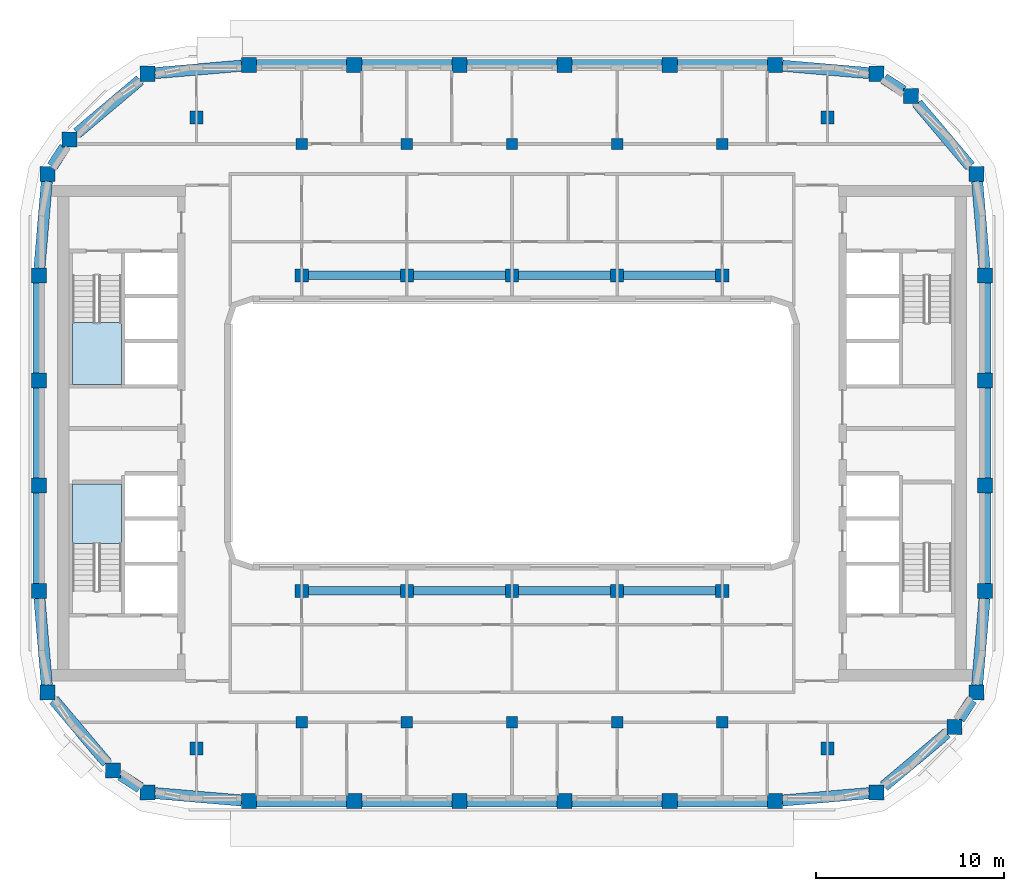
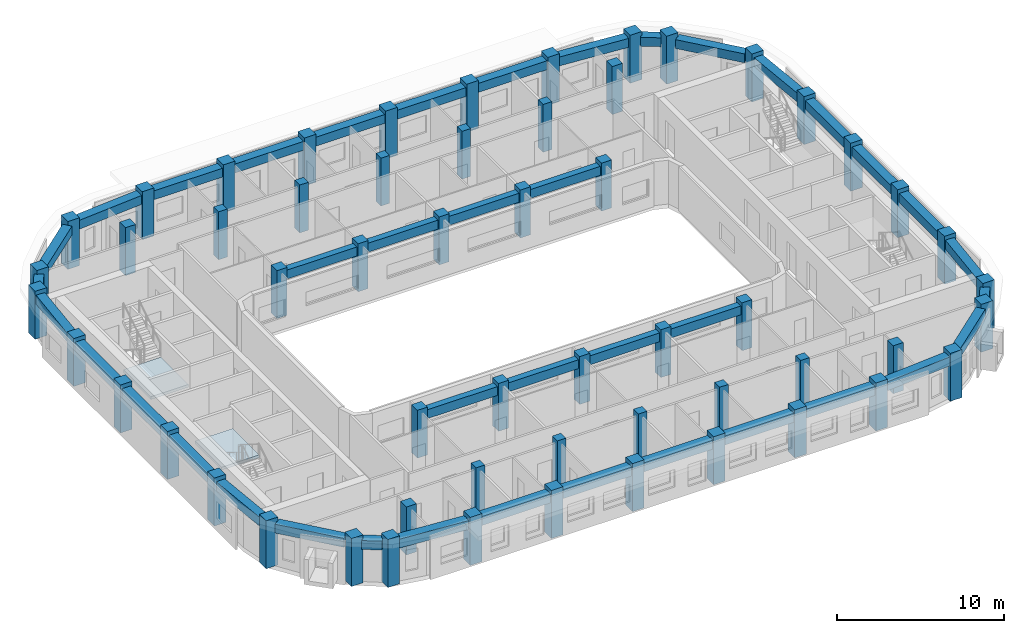
# One storey, part 1 of 16: 56 columns, 40 beams, 2 slabs, 2 elements without a shape of their own.
"""IFC4 building model written with IfcOpenShell, lengths in metres."""

from ifc_helpers import new_model, si_unit, direction, frame, origin, origin_2d, place, context, subcontext, project, spatial, polyline, rectangle, outline, extrude, material, layer, layer_set, material_profile, profile_set, type_object, element, aggregate, save


model = new_model("IFC4")

# Units and contexts
model_context = context("Model", 3, precision=1e-05, world=origin(), true_north=direction((0.0, 1.0)))
body_context = subcontext(model_context, "Body", "Model", "MODEL_VIEW")
ifc_project = project(units=[si_unit("LENGTHUNIT", "METRE"), si_unit("AREAUNIT", "SQUARE_METRE"), si_unit("VOLUMEUNIT", "CUBIC_METRE"), si_unit("PLANEANGLEUNIT", "RADIAN"), si_unit("MASSUNIT", "GRAM", prefix="KILO")], contexts=[model_context])

# Site, building, storey
site_placement = place(None, origin())
site = spatial("IfcSite", under=ifc_project, at=site_placement, CompositionType="ELEMENT")
building_placement = place(site_placement, origin())
building = spatial("IfcBuilding", under=site, at=building_placement, Name="Kiln Ring Residences", CompositionType="ELEMENT")
storey_placement = place(building_placement, frame((0.0, 0.0, 245.199951171875)))
storey = spatial("IfcBuildingStorey", under=building, at=storey_placement, Name="L63", CompositionType="ELEMENT", Elevation=245.199951171875)

# Columns
ifc_material_1 = material(Name="Concrete C60/75", Category="concrete")
ifc_material_profile_1 = material_profile(ifc_material_1, rectangle(XDim=0.60009765625, YDim=0.60009765625, at=origin_2d()), Name="RC600x600")
ifc_profile_set_1 = profile_set([ifc_material_profile_1], Name="Concrete C60/75")
column_type_1 = type_object("IfcColumnType", Name="Corridor column RC600x600 C60/75", PredefinedType="COLUMN", material=ifc_profile_set_1)
for number, where, z_axis, x_axis, name in (
    (1, (-11.199951171875, 15.39990234375, 0.0), (0.0, 0.0, 1.0), (1.0, 0.0, 0.0), "Corridor column L63 1"),
    (2, (-5.60009765625, 15.39990234375, 0.0), (0.0, 0.0, 1.0), (1.0, 0.0, 0.0), "Corridor column L63 2"),
    (3, (0.0, 15.39990234375, 0.0), (0.0, 0.0, 1.0), (1.0, 0.0, 0.0), "Corridor column L63 3"),
    (4, (5.60009765625, 15.39990234375, 0.0), (0.0, 0.0, 1.0), (1.0, 0.0, 0.0), "Corridor column L63 4"),
    (5, (11.199951171875, 15.39990234375, 0.0), (0.0, 0.0, 1.0), (1.0, 0.0, 0.0), "Corridor column L63 5"),
    (6, (-11.199951171875, -15.39990234375, 0.0), (0.0, 0.0, 1.0), (1.0, 0.0, 0.0), "Corridor column L63 6"),
    (7, (-5.60009765625, -15.39990234375, 0.0), (0.0, 0.0, 1.0), (1.0, 0.0, 0.0), "Corridor column L63 7"),
    (8, (0.0, -15.39990234375, 0.0), (0.0, 0.0, 1.0), (1.0, 0.0, 0.0), "Corridor column L63 8"),
    (9, (5.60009765625, -15.39990234375, 0.0), (0.0, 0.0, 1.0), (1.0, 0.0, 0.0), "Corridor column L63 9"),
    (10, (11.199951171875, -15.39990234375, 0.0), (0.0, 0.0, 1.0), (1.0, 0.0, 0.0), "Corridor column L63 10"),
):
    element("IfcColumn", number, at=place(storey_placement, frame(where, z_axis=z_axis, x_axis=x_axis)), inside=storey, type_object=column_type_1, Name=name, PredefinedType="COLUMN", context=body_context, shape_type="SweptSolid", body=[
        extrude(rectangle(XDim=0.60009765625, YDim=0.60009765625, at=origin_2d()), origin(), (0.0, 0.0, 1.0), 3.5),
    ])
ifc_material_2 = material(Name="Concrete C60/75", Category="concrete")
ifc_material_profile_2 = material_profile(ifc_material_2, rectangle(XDim=0.800048828125, YDim=0.800048828125, at=origin_2d()), Name="RC800x800")
ifc_profile_set_2 = profile_set([ifc_material_profile_2], Name="Concrete C60/75")
column_type_2 = type_object("IfcColumnType", Name="Perimeter column RC800x800 C60/75", PredefinedType="COLUMN", material=ifc_profile_set_2)
for number, where, z_axis, x_axis, name in (
    (11, (-19.40869140625, -19.13818359375, 0.0), (0.0, 0.0, 1.0), (1.0, 0.0, 0.0), "Perimeter column L63 1"),
    (12, (-14.0, -19.60009765625, 0.0), (0.0, 0.0, 1.0), (1.0, 0.0, 0.0), "Perimeter column L63 2"),
    (13, (-8.39990234375, -19.60009765625, 0.0), (0.0, 0.0, 1.0), (1.0, 0.0, 0.0), "Perimeter column L63 3"),
    (14, (-2.800048828125, -19.60009765625, 0.0), (0.0, 0.0, 1.0), (1.0, 0.0, 0.0), "Perimeter column L63 4"),
    (15, (2.800048828125, -19.60009765625, 0.0), (0.0, 0.0, 1.0), (1.0, 0.0, 0.0), "Perimeter column L63 5"),
    (16, (8.39990234375, -19.60009765625, 0.0), (0.0, 0.0, 1.0), (1.0, 0.0, 0.0), "Perimeter column L63 6"),
    (17, (14.0, -19.60009765625, 0.0), (0.0, 0.0, 1.0), (1.0, 0.0, 0.0), "Perimeter column L63 7"),
    (18, (19.40869140625, -19.13818359375, 0.0), (0.0, 0.0, 1.0), (1.0, 0.0, 0.0), "Perimeter column L63 8"),
    (19, (23.559814453125, -15.64013671875, 0.0), (0.0, 0.0, 1.0), (1.0, 0.0, 0.0), "Perimeter column L63 9"),
    (20, (24.738037109375, -13.80859375, 0.0), (0.0, 0.0, 1.0), (1.0, 0.0, 0.0), "Perimeter column L63 10"),
    (21, (25.199951171875, -8.39990234375, 0.0), (0.0, 0.0, 1.0), (1.0, 0.0, 0.0), "Perimeter column L63 11"),
    (22, (25.199951171875, -2.800048828125, 0.0), (0.0, 0.0, 1.0), (1.0, 0.0, 0.0), "Perimeter column L63 12"),
    (23, (25.199951171875, 2.800048828125, 0.0), (0.0, 0.0, 1.0), (1.0, 0.0, 0.0), "Perimeter column L63 13"),
    (24, (25.199951171875, 8.39990234375, 0.0), (0.0, 0.0, 1.0), (1.0, 0.0, 0.0), "Perimeter column L63 14"),
    (25, (24.738037109375, 13.80859375, 0.0), (0.0, 0.0, 1.0), (1.0, 0.0, 0.0), "Perimeter column L63 15"),
    (26, (21.240234375, 17.959716796875, 0.0), (0.0, 0.0, 1.0), (1.0, 0.0, 0.0), "Perimeter column L63 16"),
    (27, (19.40869140625, 19.13818359375, 0.0), (0.0, 0.0, 1.0), (1.0, 0.0, 0.0), "Perimeter column L63 17"),
    (28, (14.0, 19.60009765625, 0.0), (0.0, 0.0, 1.0), (1.0, 0.0, 0.0), "Perimeter column L63 18"),
    (29, (8.39990234375, 19.60009765625, 0.0), (0.0, 0.0, 1.0), (1.0, 0.0, 0.0), "Perimeter column L63 19"),
    (30, (2.800048828125, 19.60009765625, 0.0), (0.0, 0.0, 1.0), (1.0, 0.0, 0.0), "Perimeter column L63 20"),
    (31, (-2.800048828125, 19.60009765625, 0.0), (0.0, 0.0, 1.0), (1.0, 0.0, 0.0), "Perimeter column L63 21"),
    (32, (-8.39990234375, 19.60009765625, 0.0), (0.0, 0.0, 1.0), (1.0, 0.0, 0.0), "Perimeter column L63 22"),
    (33, (-14.0, 19.60009765625, 0.0), (0.0, 0.0, 1.0), (1.0, 0.0, 0.0), "Perimeter column L63 23"),
    (34, (-19.40869140625, 19.13818359375, 0.0), (0.0, 0.0, 1.0), (1.0, 0.0, 0.0), "Perimeter column L63 24"),
    (35, (-23.559814453125, 15.64013671875, 0.0), (0.0, 0.0, 1.0), (1.0, 0.0, 0.0), "Perimeter column L63 25"),
    (36, (-24.738037109375, 13.80859375, 0.0), (0.0, 0.0, 1.0), (1.0, 0.0, 0.0), "Perimeter column L63 26"),
    (37, (-25.199951171875, 8.39990234375, 0.0), (0.0, 0.0, 1.0), (1.0, 0.0, 0.0), "Perimeter column L63 27"),
    (38, (-25.199951171875, 2.800048828125, 0.0), (0.0, 0.0, 1.0), (1.0, 0.0, 0.0), "Perimeter column L63 28"),
    (39, (-25.199951171875, -2.800048828125, 0.0), (0.0, 0.0, 1.0), (1.0, 0.0, 0.0), "Perimeter column L63 29"),
    (40, (-25.199951171875, -8.39990234375, 0.0), (0.0, 0.0, 1.0), (1.0, 0.0, 0.0), "Perimeter column L63 30"),
    (41, (-24.738037109375, -13.80859375, 0.0), (0.0, 0.0, 1.0), (1.0, 0.0, 0.0), "Perimeter column L63 31"),
    (42, (-21.240234375, -17.959716796875, 0.0), (0.0, 0.0, 1.0), (1.0, 0.0, 0.0), "Perimeter column L63 32"),
):
    element("IfcColumn", number, at=place(storey_placement, frame(where, z_axis=z_axis, x_axis=x_axis)), inside=storey, type_object=column_type_2, Name=name, PredefinedType="COLUMN", context=body_context, shape_type="SweptSolid", body=[
        extrude(rectangle(XDim=0.800048828125, YDim=0.800048828125, at=origin_2d()), origin(), (0.0, 0.0, 1.0), 3.5),
    ])
ifc_material_3 = material(Name="Concrete C60/75", Category="concrete")
ifc_material_profile_3 = material_profile(ifc_material_3, rectangle(XDim=0.699951171875, YDim=0.699951171875, at=origin_2d()), Name="RC700x700")
ifc_profile_set_3 = profile_set([ifc_material_profile_3], Name="Concrete C60/75")
column_type_3 = type_object("IfcColumnType", Name="Ring column RC700x700 C60/75", PredefinedType="COLUMN", material=ifc_profile_set_3)
for number, where, z_axis, x_axis, name in (
    (43, (-16.800048828125, -16.800048828125, 0.0), (0.0, 0.0, 1.0), (1.0, 0.0, 0.0), "Ring column L63 1"),
    (44, (-16.800048828125, 16.800048828125, 0.0), (0.0, 0.0, 1.0), (1.0, 0.0, 0.0), "Ring column L63 2"),
    (45, (-11.199951171875, -8.39990234375, 0.0), (0.0, 0.0, 1.0), (1.0, 0.0, 0.0), "Ring column L63 3"),
    (46, (-11.199951171875, 8.39990234375, 0.0), (0.0, 0.0, 1.0), (1.0, 0.0, 0.0), "Ring column L63 4"),
    (47, (-5.60009765625, -8.39990234375, 0.0), (0.0, 0.0, 1.0), (1.0, 0.0, 0.0), "Ring column L63 5"),
    (48, (-5.60009765625, 8.39990234375, 0.0), (0.0, 0.0, 1.0), (1.0, 0.0, 0.0), "Ring column L63 6"),
    (49, (0.0, -8.39990234375, 0.0), (0.0, 0.0, 1.0), (1.0, 0.0, 0.0), "Ring column L63 7"),
    (50, (0.0, 8.39990234375, 0.0), (0.0, 0.0, 1.0), (1.0, 0.0, 0.0), "Ring column L63 8"),
    (51, (5.60009765625, -8.39990234375, 0.0), (0.0, 0.0, 1.0), (1.0, 0.0, 0.0), "Ring column L63 9"),
    (52, (5.60009765625, 8.39990234375, 0.0), (0.0, 0.0, 1.0), (1.0, 0.0, 0.0), "Ring column L63 10"),
    (53, (11.199951171875, -8.39990234375, 0.0), (0.0, 0.0, 1.0), (1.0, 0.0, 0.0), "Ring column L63 11"),
    (54, (11.199951171875, 8.39990234375, 0.0), (0.0, 0.0, 1.0), (1.0, 0.0, 0.0), "Ring column L63 12"),
    (55, (16.800048828125, -16.800048828125, 0.0), (0.0, 0.0, 1.0), (1.0, 0.0, 0.0), "Ring column L63 13"),
    (56, (16.800048828125, 16.800048828125, 0.0), (0.0, 0.0, 1.0), (1.0, 0.0, 0.0), "Ring column L63 14"),
):
    element("IfcColumn", number, at=place(storey_placement, frame(where, z_axis=z_axis, x_axis=x_axis)), inside=storey, type_object=column_type_3, Name=name, PredefinedType="COLUMN", context=body_context, shape_type="SweptSolid", body=[
        extrude(rectangle(XDim=0.699951171875, YDim=0.699951171875, at=origin_2d()), origin(), (0.0, 0.0, 1.0), 3.5),
    ])

# Beams
ifc_material_4 = material(Name="Concrete C50/60", Category="concrete")
ifc_material_profile_4 = material_profile(ifc_material_4, rectangle(XDim=0.449951171875, YDim=0.64990234375, at=origin_2d()), Name="RC450x650")
ifc_profile_set_4 = profile_set([ifc_material_profile_4], Name="Concrete C50/60")
beam_type_1 = type_object("IfcBeamType", Name="Ring beam RC450x650 C50/60", PredefinedType="BEAM", material=ifc_profile_set_4)
beam_1_placement = place(storey_placement, frame((-10.85009765625, -8.39990234375, 2.875), z_axis=(1.0, 0.0, 0.0), x_axis=(0.0, 1.0, 0.0)))
element("IfcBeam", 57, at=beam_1_placement, inside=storey, type_object=beam_type_1, Name="Ring beam L63 1", PredefinedType="BEAM", context=body_context, shape_type="SweptSolid", body=[
    extrude(rectangle(XDim=0.449951171875, YDim=0.64990234375, at=origin_2d()), origin(), (0.0, 0.0, 1.0), 4.900146484375),
])
for number, where, z_axis, x_axis, name in (
    (58, (-5.25, -8.39990234375, 2.875), (1.0, 0.0, 0.0), (0.0, 1.0, 0.0), "Ring beam L63 2"),
    (59, (0.35009765625, -8.39990234375, 2.875), (1.0, 0.0, 0.0), (0.0, 1.0, 0.0), "Ring beam L63 3"),
):
    element("IfcBeam", number, at=place(storey_placement, frame(where, z_axis=z_axis, x_axis=x_axis)), inside=storey, type_object=beam_type_1, Name=name, PredefinedType="BEAM", context=body_context, shape_type="SweptSolid", body=[
        extrude(rectangle(XDim=0.449951171875, YDim=0.64990234375, at=origin_2d()), origin(), (0.0, 0.0, 1.0), 4.89990234375),
    ])
for number, where, z_axis, x_axis, name in (
    (60, (5.949951171875, -8.39990234375, 2.875), (1.0, 0.0, 0.0), (0.0, 1.0, 0.0), "Ring beam L63 4"),
    (61, (-10.85009765625, 8.39990234375, 2.875), (1.0, 0.0, 0.0), (0.0, 1.0, 0.0), "Ring beam L63 5"),
):
    element("IfcBeam", number, at=place(storey_placement, frame(where, z_axis=z_axis, x_axis=x_axis)), inside=storey, type_object=beam_type_1, Name=name, PredefinedType="BEAM", context=body_context, shape_type="SweptSolid", body=[
        extrude(rectangle(XDim=0.449951171875, YDim=0.64990234375, at=origin_2d()), origin(), (0.0, 0.0, 1.0), 4.900146484375),
    ])
for number, where, z_axis, x_axis, name in (
    (62, (-5.25, 8.39990234375, 2.875), (1.0, 0.0, 0.0), (0.0, 1.0, 0.0), "Ring beam L63 6"),
    (63, (0.35009765625, 8.39990234375, 2.875), (1.0, 0.0, 0.0), (0.0, 1.0, 0.0), "Ring beam L63 7"),
):
    element("IfcBeam", number, at=place(storey_placement, frame(where, z_axis=z_axis, x_axis=x_axis)), inside=storey, type_object=beam_type_1, Name=name, PredefinedType="BEAM", context=body_context, shape_type="SweptSolid", body=[
        extrude(rectangle(XDim=0.449951171875, YDim=0.64990234375, at=origin_2d()), origin(), (0.0, 0.0, 1.0), 4.89990234375),
    ])
beam_2_placement = place(storey_placement, frame((5.949951171875, 8.39990234375, 2.875), z_axis=(1.0, 0.0, 0.0), x_axis=(0.0, 1.0, 0.0)))
element("IfcBeam", 64, at=beam_2_placement, inside=storey, type_object=beam_type_1, Name="Ring beam L63 8", PredefinedType="BEAM", context=body_context, shape_type="SweptSolid", body=[
    extrude(rectangle(XDim=0.449951171875, YDim=0.64990234375, at=origin_2d()), origin(), (0.0, 0.0, 1.0), 4.900146484375),
])
ifc_material_5 = material(Name="Concrete C50/60", Category="concrete")
ifc_material_profile_5 = material_profile(ifc_material_5, rectangle(XDim=0.60009765625, YDim=0.64990234375, at=origin_2d()), Name="RC600x650")
ifc_profile_set_5 = profile_set([ifc_material_profile_5], Name="Concrete C50/60")
beam_type_2 = type_object("IfcBeamType", Name="Spandrel beam RC600x650 C50/60", PredefinedType="SPANDREL", material=ifc_profile_set_5)
beam_3_placement = place(storey_placement, frame((-19.0087890625, -19.17236328125, 2.875), z_axis=(0.996374056639, -0.085080780766, 0.0), x_axis=(0.085080780766, 0.996374056639, 0.0)))
element("IfcBeam", 65, at=beam_3_placement, inside=storey, type_object=beam_type_2, Name="Spandrel beam L63 1", PredefinedType="SPANDREL", context=body_context, shape_type="SweptSolid", body=[
    extrude(rectangle(XDim=0.60009765625, YDim=0.64990234375, at=origin_2d()), origin(), (0.0, 0.0, 1.0), 4.625732421875),
])
for number, where, z_axis, x_axis, name in (
    (66, (-13.60009765625, -19.60009765625, 2.875), (1.0, 0.0, 0.0), (0.0, 1.0, 0.0), "Spandrel beam L63 2"),
    (67, (-8.0, -19.60009765625, 2.875), (1.0, 0.0, 0.0), (0.0, 1.0, 0.0), "Spandrel beam L63 3"),
):
    element("IfcBeam", number, at=place(storey_placement, frame(where, z_axis=z_axis, x_axis=x_axis)), inside=storey, type_object=beam_type_2, Name=name, PredefinedType="SPANDREL", context=body_context, shape_type="SweptSolid", body=[
        extrude(rectangle(XDim=0.60009765625, YDim=0.64990234375, at=origin_2d()), origin(), (0.0, 0.0, 1.0), 4.800048828125),
    ])
beam_4_placement = place(storey_placement, frame((-2.39990234375, -19.60009765625, 2.875), z_axis=(1.0, 0.0, 0.0), x_axis=(0.0, 1.0, 0.0)))
element("IfcBeam", 68, at=beam_4_placement, inside=storey, type_object=beam_type_2, Name="Spandrel beam L63 4", PredefinedType="SPANDREL", context=body_context, shape_type="SweptSolid", body=[
    extrude(rectangle(XDim=0.60009765625, YDim=0.64990234375, at=origin_2d()), origin(), (0.0, 0.0, 1.0), 4.7998046875),
])
for number, where, z_axis, x_axis, name in (
    (69, (3.199951171875, -19.60009765625, 2.875), (1.0, 0.0, 0.0), (0.0, 1.0, 0.0), "Spandrel beam L63 5"),
    (70, (8.800048828125, -19.60009765625, 2.875), (1.0, 0.0, 0.0), (0.0, 1.0, 0.0), "Spandrel beam L63 6"),
):
    element("IfcBeam", number, at=place(storey_placement, frame(where, z_axis=z_axis, x_axis=x_axis)), inside=storey, type_object=beam_type_2, Name=name, PredefinedType="SPANDREL", context=body_context, shape_type="SweptSolid", body=[
        extrude(rectangle(XDim=0.60009765625, YDim=0.64990234375, at=origin_2d()), origin(), (0.0, 0.0, 1.0), 4.800048828125),
    ])
beam_5_placement = place(storey_placement, frame((14.39990234375, -19.56591796875, 2.875), z_axis=(0.996374056639, 0.085080780766, 0.0), x_axis=(-0.085080780766, 0.996374056639, 0.0)))
element("IfcBeam", 71, at=beam_5_placement, inside=storey, type_object=beam_type_2, Name="Spandrel beam L63 7", PredefinedType="SPANDREL", context=body_context, shape_type="SweptSolid", body=[
    extrude(rectangle(XDim=0.60009765625, YDim=0.64990234375, at=origin_2d()), origin(), (0.0, 0.0, 1.0), 4.625732421875),
])
beam_6_placement = place(storey_placement, frame((19.80859375, -18.801025390625, 2.875), z_axis=(0.764734919154, 0.644345018936, 0.0), x_axis=(-0.644345018936, 0.764734919154, 0.0)))
element("IfcBeam", 72, at=beam_6_placement, inside=storey, type_object=beam_type_2, Name="Spandrel beam L63 8", PredefinedType="SPANDREL", context=body_context, shape_type="SweptSolid", body=[
    extrude(rectangle(XDim=0.60009765625, YDim=0.64990234375, at=origin_2d()), origin(), (0.0, 0.0, 1.0), 4.38232421875),
])
beam_7_placement = place(storey_placement, frame((23.817138671875, -15.240234375, 2.875), z_axis=(0.541029196589, 0.841003810002, 0.0), x_axis=(-0.841003810002, 0.541029196589, 0.0)))
element("IfcBeam", 73, at=beam_7_placement, inside=storey, type_object=beam_type_2, Name="Spandrel beam L63 9", PredefinedType="SPANDREL", context=body_context, shape_type="SweptSolid", body=[
    extrude(rectangle(XDim=0.60009765625, YDim=0.64990234375, at=origin_2d()), origin(), (0.0, 0.0, 1.0), 1.2265625),
])
beam_8_placement = place(storey_placement, frame((24.772216796875, -13.40869140625, 2.875), z_axis=(0.085085255251, 0.996373674551, 0.0), x_axis=(-0.996373674551, 0.085085255251, 0.0)))
element("IfcBeam", 74, at=beam_8_placement, inside=storey, type_object=beam_type_2, Name="Spandrel beam L63 10", PredefinedType="SPANDREL", context=body_context, shape_type="SweptSolid", body=[
    extrude(rectangle(XDim=0.60009765625, YDim=0.64990234375, at=origin_2d()), origin(), (0.0, 0.0, 1.0), 4.62548828125),
])
beam_9_placement = place(storey_placement, frame((25.199951171875, -8.0, 2.875), z_axis=(0.0, 1.0, 0.0), x_axis=(-1.0, 0.0, 0.0)))
element("IfcBeam", 75, at=beam_9_placement, inside=storey, type_object=beam_type_2, Name="Spandrel beam L63 11", PredefinedType="SPANDREL", context=body_context, shape_type="SweptSolid", body=[
    extrude(rectangle(XDim=0.60009765625, YDim=0.64990234375, at=origin_2d()), origin(), (0.0, 0.0, 1.0), 4.800048828125),
])
beam_10_placement = place(storey_placement, frame((25.199951171875, -2.39990234375, 2.875), z_axis=(0.0, 1.0, 0.0), x_axis=(-1.0, 0.0, 0.0)))
element("IfcBeam", 76, at=beam_10_placement, inside=storey, type_object=beam_type_2, Name="Spandrel beam L63 12", PredefinedType="SPANDREL", context=body_context, shape_type="SweptSolid", body=[
    extrude(rectangle(XDim=0.60009765625, YDim=0.64990234375, at=origin_2d()), origin(), (0.0, 0.0, 1.0), 4.7998046875),
])
beam_11_placement = place(storey_placement, frame((25.199951171875, 3.199951171875, 2.875), z_axis=(0.0, 1.0, 0.0), x_axis=(-1.0, 0.0, 0.0)))
element("IfcBeam", 77, at=beam_11_placement, inside=storey, type_object=beam_type_2, Name="Spandrel beam L63 13", PredefinedType="SPANDREL", context=body_context, shape_type="SweptSolid", body=[
    extrude(rectangle(XDim=0.60009765625, YDim=0.64990234375, at=origin_2d()), origin(), (0.0, 0.0, 1.0), 4.800048828125),
])
beam_12_placement = place(storey_placement, frame((25.165771484375, 8.800048828125, 2.875), z_axis=(-0.085085255251, 0.996373674551, 0.0), x_axis=(-0.996373674551, -0.085085255251, 0.0)))
element("IfcBeam", 78, at=beam_12_placement, inside=storey, type_object=beam_type_2, Name="Spandrel beam L63 14", PredefinedType="SPANDREL", context=body_context, shape_type="SweptSolid", body=[
    extrude(rectangle(XDim=0.60009765625, YDim=0.64990234375, at=origin_2d()), origin(), (0.0, 0.0, 1.0), 4.62548828125),
])
beam_13_placement = place(storey_placement, frame((24.401123046875, 14.208740234375, 2.875), z_axis=(-0.644405049218, 0.764684335227, 0.0), x_axis=(-0.764684335227, -0.644405049218, 0.0)))
element("IfcBeam", 79, at=beam_13_placement, inside=storey, type_object=beam_type_2, Name="Spandrel beam L63 15", PredefinedType="SPANDREL", context=body_context, shape_type="SweptSolid", body=[
    extrude(rectangle(XDim=0.60009765625, YDim=0.64990234375, at=origin_2d()), origin(), (0.0, 0.0, 1.0), 4.38232421875),
])
beam_14_placement = place(storey_placement, frame((20.840087890625, 18.217041015625, 2.875), z_axis=(-0.840913236818, 0.541169962345, 0.0), x_axis=(-0.541169962345, -0.840913236818, 0.0)))
element("IfcBeam", 80, at=beam_14_placement, inside=storey, type_object=beam_type_2, Name="Spandrel beam L63 16", PredefinedType="SPANDREL", context=body_context, shape_type="SweptSolid", body=[
    extrude(rectangle(XDim=0.60009765625, YDim=0.64990234375, at=origin_2d()), origin(), (0.0, 0.0, 1.0), 1.2265625),
])
beam_15_placement = place(storey_placement, frame((19.0087890625, 19.17236328125, 2.875), z_axis=(-0.996374056639, 0.085080780766, 0.0), x_axis=(-0.085080780766, -0.996374056639, 0.0)))
element("IfcBeam", 81, at=beam_15_placement, inside=storey, type_object=beam_type_2, Name="Spandrel beam L63 17", PredefinedType="SPANDREL", context=body_context, shape_type="SweptSolid", body=[
    extrude(rectangle(XDim=0.60009765625, YDim=0.64990234375, at=origin_2d()), origin(), (0.0, 0.0, 1.0), 4.625732421875),
])
for number, where, z_axis, x_axis, name in (
    (82, (13.60009765625, 19.60009765625, 2.875), (-1.0, 0.0, 0.0), (0.0, -1.0, 0.0), "Spandrel beam L63 18"),
    (83, (8.0, 19.60009765625, 2.875), (-1.0, 0.0, 0.0), (0.0, -1.0, 0.0), "Spandrel beam L63 19"),
):
    element("IfcBeam", number, at=place(storey_placement, frame(where, z_axis=z_axis, x_axis=x_axis)), inside=storey, type_object=beam_type_2, Name=name, PredefinedType="SPANDREL", context=body_context, shape_type="SweptSolid", body=[
        extrude(rectangle(XDim=0.60009765625, YDim=0.64990234375, at=origin_2d()), origin(), (0.0, 0.0, 1.0), 4.800048828125),
    ])
beam_16_placement = place(storey_placement, frame((2.39990234375, 19.60009765625, 2.875), z_axis=(-1.0, 0.0, 0.0), x_axis=(0.0, -1.0, 0.0)))
element("IfcBeam", 84, at=beam_16_placement, inside=storey, type_object=beam_type_2, Name="Spandrel beam L63 20", PredefinedType="SPANDREL", context=body_context, shape_type="SweptSolid", body=[
    extrude(rectangle(XDim=0.60009765625, YDim=0.64990234375, at=origin_2d()), origin(), (0.0, 0.0, 1.0), 4.7998046875),
])
for number, where, z_axis, x_axis, name in (
    (85, (-3.199951171875, 19.60009765625, 2.875), (-1.0, 0.0, 0.0), (0.0, -1.0, 0.0), "Spandrel beam L63 21"),
    (86, (-8.800048828125, 19.60009765625, 2.875), (-1.0, 0.0, 0.0), (0.0, -1.0, 0.0), "Spandrel beam L63 22"),
):
    element("IfcBeam", number, at=place(storey_placement, frame(where, z_axis=z_axis, x_axis=x_axis)), inside=storey, type_object=beam_type_2, Name=name, PredefinedType="SPANDREL", context=body_context, shape_type="SweptSolid", body=[
        extrude(rectangle(XDim=0.60009765625, YDim=0.64990234375, at=origin_2d()), origin(), (0.0, 0.0, 1.0), 4.800048828125),
    ])
beam_17_placement = place(storey_placement, frame((-14.39990234375, 19.56591796875, 2.875), z_axis=(-0.996374056639, -0.085080780766, 0.0), x_axis=(0.085080780766, -0.996374056639, 0.0)))
element("IfcBeam", 87, at=beam_17_placement, inside=storey, type_object=beam_type_2, Name="Spandrel beam L63 23", PredefinedType="SPANDREL", context=body_context, shape_type="SweptSolid", body=[
    extrude(rectangle(XDim=0.60009765625, YDim=0.64990234375, at=origin_2d()), origin(), (0.0, 0.0, 1.0), 4.625732421875),
])
beam_18_placement = place(storey_placement, frame((-19.80859375, 18.801025390625, 2.875), z_axis=(-0.764734919154, -0.644345018936, 0.0), x_axis=(0.644345018936, -0.764734919154, 0.0)))
element("IfcBeam", 88, at=beam_18_placement, inside=storey, type_object=beam_type_2, Name="Spandrel beam L63 24", PredefinedType="SPANDREL", context=body_context, shape_type="SweptSolid", body=[
    extrude(rectangle(XDim=0.60009765625, YDim=0.64990234375, at=origin_2d()), origin(), (0.0, 0.0, 1.0), 4.38232421875),
])
beam_19_placement = place(storey_placement, frame((-23.817138671875, 15.240234375, 2.875), z_axis=(-0.541029196589, -0.841003810002, 0.0), x_axis=(0.841003810002, -0.541029196589, 0.0)))
element("IfcBeam", 89, at=beam_19_placement, inside=storey, type_object=beam_type_2, Name="Spandrel beam L63 25", PredefinedType="SPANDREL", context=body_context, shape_type="SweptSolid", body=[
    extrude(rectangle(XDim=0.60009765625, YDim=0.64990234375, at=origin_2d()), origin(), (0.0, 0.0, 1.0), 1.2265625),
])
beam_20_placement = place(storey_placement, frame((-24.772216796875, 13.40869140625, 2.875), z_axis=(-0.085085255251, -0.996373674551, 0.0), x_axis=(0.996373674551, -0.085085255251, 0.0)))
element("IfcBeam", 90, at=beam_20_placement, inside=storey, type_object=beam_type_2, Name="Spandrel beam L63 26", PredefinedType="SPANDREL", context=body_context, shape_type="SweptSolid", body=[
    extrude(rectangle(XDim=0.60009765625, YDim=0.64990234375, at=origin_2d()), origin(), (0.0, 0.0, 1.0), 4.62548828125),
])
beam_21_placement = place(storey_placement, frame((-25.199951171875, 8.0, 2.875), z_axis=(0.0, -1.0, 0.0), x_axis=(1.0, 0.0, 0.0)))
element("IfcBeam", 91, at=beam_21_placement, inside=storey, type_object=beam_type_2, Name="Spandrel beam L63 27", PredefinedType="SPANDREL", context=body_context, shape_type="SweptSolid", body=[
    extrude(rectangle(XDim=0.60009765625, YDim=0.64990234375, at=origin_2d()), origin(), (0.0, 0.0, 1.0), 4.800048828125),
])
beam_22_placement = place(storey_placement, frame((-25.199951171875, 2.39990234375, 2.875), z_axis=(0.0, -1.0, 0.0), x_axis=(1.0, 0.0, 0.0)))
element("IfcBeam", 92, at=beam_22_placement, inside=storey, type_object=beam_type_2, Name="Spandrel beam L63 28", PredefinedType="SPANDREL", context=body_context, shape_type="SweptSolid", body=[
    extrude(rectangle(XDim=0.60009765625, YDim=0.64990234375, at=origin_2d()), origin(), (0.0, 0.0, 1.0), 4.7998046875),
])
beam_23_placement = place(storey_placement, frame((-25.199951171875, -3.199951171875, 2.875), z_axis=(0.0, -1.0, 0.0), x_axis=(1.0, 0.0, 0.0)))
element("IfcBeam", 93, at=beam_23_placement, inside=storey, type_object=beam_type_2, Name="Spandrel beam L63 29", PredefinedType="SPANDREL", context=body_context, shape_type="SweptSolid", body=[
    extrude(rectangle(XDim=0.60009765625, YDim=0.64990234375, at=origin_2d()), origin(), (0.0, 0.0, 1.0), 4.800048828125),
])
beam_24_placement = place(storey_placement, frame((-25.165771484375, -8.800048828125, 2.875), z_axis=(0.085085255251, -0.996373674551, 0.0), x_axis=(0.996373674551, 0.085085255251, 0.0)))
element("IfcBeam", 94, at=beam_24_placement, inside=storey, type_object=beam_type_2, Name="Spandrel beam L63 30", PredefinedType="SPANDREL", context=body_context, shape_type="SweptSolid", body=[
    extrude(rectangle(XDim=0.60009765625, YDim=0.64990234375, at=origin_2d()), origin(), (0.0, 0.0, 1.0), 4.62548828125),
])
beam_25_placement = place(storey_placement, frame((-24.401123046875, -14.208740234375, 2.875), z_axis=(0.644405049218, -0.764684335227, 0.0), x_axis=(0.764684335227, 0.644405049218, 0.0)))
element("IfcBeam", 95, at=beam_25_placement, inside=storey, type_object=beam_type_2, Name="Spandrel beam L63 31", PredefinedType="SPANDREL", context=body_context, shape_type="SweptSolid", body=[
    extrude(rectangle(XDim=0.60009765625, YDim=0.64990234375, at=origin_2d()), origin(), (0.0, 0.0, 1.0), 4.38232421875),
])
beam_26_placement = place(storey_placement, frame((-20.840087890625, -18.217041015625, 2.875), z_axis=(0.840913236818, -0.541169962345, 0.0), x_axis=(0.541169962345, 0.840913236818, 0.0)))
element("IfcBeam", 96, at=beam_26_placement, inside=storey, type_object=beam_type_2, Name="Spandrel beam L63 32", PredefinedType="SPANDREL", context=body_context, shape_type="SweptSolid", body=[
    extrude(rectangle(XDim=0.60009765625, YDim=0.64990234375, at=origin_2d()), origin(), (0.0, 0.0, 1.0), 1.2265625),
])

# Stair, slab
ifc_material_6 = material(Name="Concrete C40/50", Category="concrete")
stair_type = type_object("IfcStairType", Name="CORE-STAIR", PredefinedType="HALF_TURN_STAIR", material=ifc_material_6)
placement_1 = place(storey_placement, origin())
stair_1 = element("IfcStair", 97, at=placement_1, inside=storey, type_object=stair_type, Name="L63 stair W-STN", PredefinedType="HALF_TURN_STAIR")
ifc_material_7 = material(Name="Concrete C40/50", Category="concrete")
ifc_layer = layer(ifc_material_7, 0.199951171875)
ifc_layer_set = layer_set([ifc_layer], Name="CORE-STAIR-LANDING")
slab_type = type_object("IfcSlabType", Name="CORE-STAIR-LANDING", PredefinedType="LANDING", material=ifc_layer_set)
placement_2 = place(storey_placement, frame((0.0, 0.0, 1.550048828125)))
slab_1 = element("IfcSlab", 98, at=placement_2, type_object=slab_type, Name="W-STN landing 1", PredefinedType="LANDING", context=body_context, shape_type="SweptSolid", body=[
    extrude(outline(polyline([(-23.39990234375, 5.8798828125), (-23.39990234375, 2.60009765625), (-20.800048828125, 2.60009765625), (-20.800048828125, 5.8798828125), (-23.39990234375, 5.8798828125)])), origin(), (0.0, 0.0, 1.0), 0.199951171875),
])
aggregate(stair_1, [slab_1])

stair_2 = element("IfcStair", 99, at=placement_1, inside=storey, type_object=stair_type, Name="L63 stair W-STS", PredefinedType="HALF_TURN_STAIR")
slab_2 = element("IfcSlab", 100, at=placement_2, type_object=slab_type, Name="W-STS landing 1", PredefinedType="LANDING", context=body_context, shape_type="SweptSolid", body=[
    extrude(outline(polyline([(-20.800048828125, -5.8798828125), (-20.800048828125, -2.699951171875), (-23.39990234375, -2.699951171875), (-23.39990234375, -5.8798828125), (-20.800048828125, -5.8798828125)])), origin(), (0.0, 0.0, 1.0), 0.199951171875),
])
aggregate(stair_2, [slab_2])

save(model, "model.ifc")
